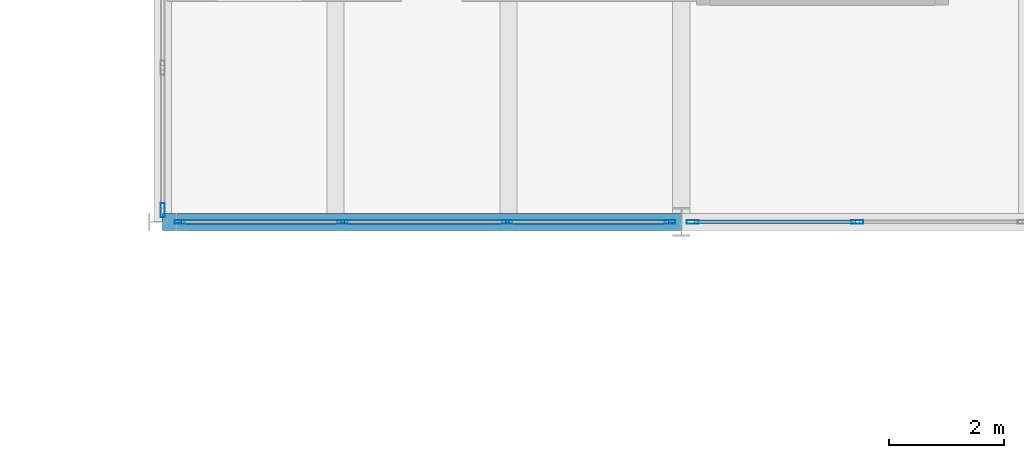
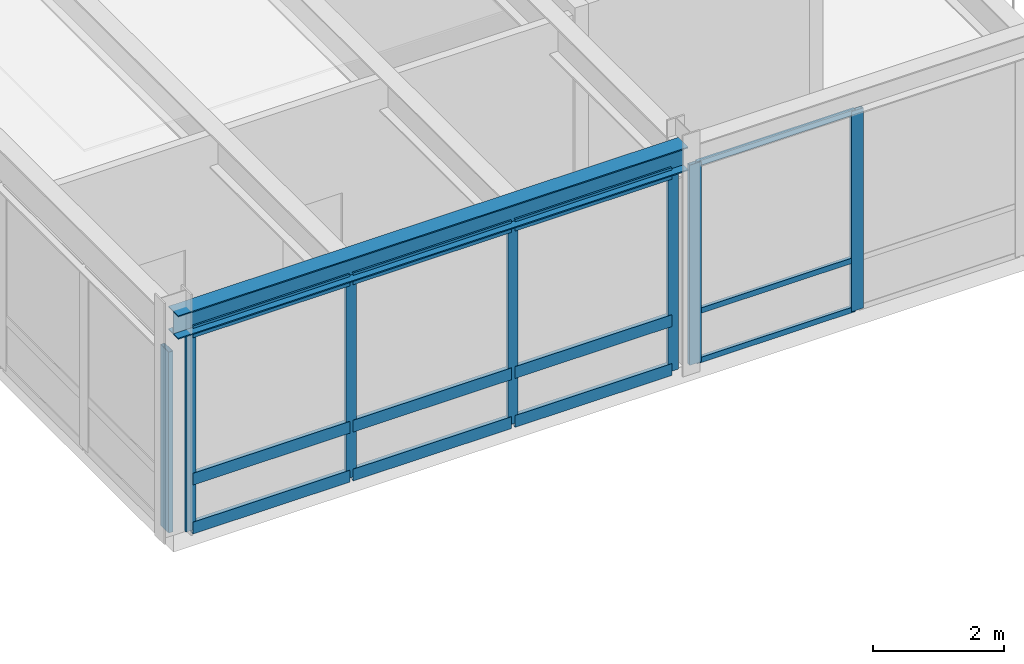
# One storey, part 48 of 127: 19 members, 1 beam, 3 elements without a shape of their own.
"""IFC4 building model written with IfcOpenShell, lengths in metres."""

import ifcopenshell
import ifcopenshell.guid

model = None  # the IFC model being written
_history = None  # IfcOwnerHistory: only IFC2X3 demands one
_inside = {}  # id of a spatial element -> (the spatial element, [elements in it])
_under = {}  # id of a project, library or spatial element -> (it, [spatial elements below it])
_declared = {}  # id of a project -> (the project, [libraries it declares])
_typed = {}  # id of a type object -> (the type object, [elements of that type])
_made_of = {}  # id of a material, layer set ... -> (it, [elements and type objects made of it])


def new_model(schema):
    """Start an empty IFC model of exactly this schema.

    Asked for "IFC4X3", IfcOpenShell would pick the latest addendum, in which some entities
    have other attributes; the version numbers below select the first issue.
    IFC2X3 requires an IfcOwnerHistory on every rooted entity: one is made here for all.
    """
    global model, _history
    if schema == "IFC4X3":
        model = ifcopenshell.file(schema_version=(4, 3, 0, 0))
    else:
        model = ifcopenshell.file(schema=schema)
    _inside.clear()
    _under.clear()
    _declared.clear()
    _typed.clear()
    _made_of.clear()
    _history = None
    if model.schema == "IFC2X3":
        org = make("IfcOrganization", Name="unknown")
        user = make(
            "IfcPersonAndOrganization",
            ThePerson=make("IfcPerson", FamilyName="unknown"),
            TheOrganization=org,
        )
        app = make(
            "IfcApplication",
            ApplicationDeveloper=org,
            Version="unknown",
            ApplicationFullName="unknown",
            ApplicationIdentifier="unknown",
        )
        _history = make(
            "IfcOwnerHistory",
            OwningUser=user,
            OwningApplication=app,
            ChangeAction="ADDED",
            CreationDate=0,
        )
    return model


def make(cls, **values):
    """One entity of the class cls with the attributes given. An attribute that is None is left unset."""
    return model.create_entity(
        cls, **{name: value for name, value in values.items() if value is not None}
    )


def rooted(cls, **values):
    """An entity with a GlobalId (a new one), such as an element, a storey or a relation."""
    return make(cls, GlobalId=ifcopenshell.guid.new(), OwnerHistory=_history, **values)


def si_unit(unit_type, name, prefix=None):
    """IfcSIUnit, for example si_unit("LENGTHUNIT", "METRE", prefix="MILLI")."""
    return make("IfcSIUnit", UnitType=unit_type, Prefix=prefix, Name=name)


def assignment(units):
    """IfcUnitAssignment: the units of a project."""
    return None if units is None else make("IfcUnitAssignment", Units=units)


def point(xyz):
    """IfcCartesianPoint."""
    return None if xyz is None else make("IfcCartesianPoint", Coordinates=xyz)


def direction(xyz):
    """IfcDirection."""
    return None if xyz is None else make("IfcDirection", DirectionRatios=xyz)


def frame(location, z_axis=None, x_axis=None):
    """IfcAxis2Placement3D, a coordinate frame: its origin and axes. An axis left out is left unset."""
    return make(
        "IfcAxis2Placement3D",
        Location=point(location),
        Axis=direction(z_axis),
        RefDirection=direction(x_axis),
    )


def frame_2d(location, x_axis=None):
    """IfcAxis2Placement2D, a coordinate frame in the plane: its origin and x axis."""
    return make(
        "IfcAxis2Placement2D", Location=point(location), RefDirection=direction(x_axis)
    )


def origin():
    """The frame at (0, 0, 0) with its axes left unset."""
    return frame((0.0, 0.0, 0.0))


def origin_2d():
    """The frame at (0, 0) in the plane with its x axis left unset."""
    return frame_2d((0.0, 0.0))


def place(relative_to, where):
    """IfcLocalPlacement: puts the frame where relative to a parent placement (None: the world)."""
    return make(
        "IfcLocalPlacement", PlacementRelTo=relative_to, RelativePlacement=where
    )


def context(
    kind, dimensions, precision=None, world=None, true_north=None, identifier=None
):
    """IfcGeometricRepresentationContext, for example the 3D "Model" context."""
    return make(
        "IfcGeometricRepresentationContext",
        ContextIdentifier=identifier,
        ContextType=kind,
        CoordinateSpaceDimension=dimensions,
        Precision=precision,
        WorldCoordinateSystem=world,
        TrueNorth=true_north,
    )


def subcontext(parent, identifier, kind, view, scale=None):
    """IfcGeometricRepresentationSubContext, for example "Body" below "Model"."""
    return make(
        "IfcGeometricRepresentationSubContext",
        ContextIdentifier=identifier,
        ContextType=kind,
        ParentContext=parent,
        TargetScale=scale,
        TargetView=view,
    )


def project(units=None, contexts=None):
    """IfcProject with its units and contexts."""
    return rooted(
        "IfcProject",
        Name="project",
        RepresentationContexts=contexts,
        UnitsInContext=assignment(units),
    )


def spatial(cls, under=None, at=None, **own):
    """A site, building, storey or space (cls), placed at a placement, below another one or the project."""
    s = rooted(cls, ObjectPlacement=at, **own)
    if under is not None:
        _under.setdefault(under.id(), (under, []))[1].append(s)
    return s


def profile(cls, at=None, kind="AREA", **sizes):
    """A parametric profile (cls). Its sizes go by their IFC names, for example OverallWidth=200.0."""
    return make(cls, ProfileType=kind, Position=at, **sizes)


def hollow_rectangle(**sizes):
    """IfcRectangleHollowProfileDef."""
    return profile("IfcRectangleHollowProfileDef", **sizes)


def i_section(**sizes):
    """IfcIShapeProfileDef."""
    return profile("IfcIShapeProfileDef", **sizes)


def extrude(swept, where, along, depth):
    """IfcExtrudedAreaSolid: the profile swept, set in the frame where, extruded along a direction by depth."""
    return make(
        "IfcExtrudedAreaSolid",
        SweptArea=swept,
        Position=where,
        ExtrudedDirection=direction(along),
        Depth=depth,
    )


def shape(context_of_items, identifier, shape_type, items):
    """IfcShapeRepresentation: the items that make up one representation, for example the "Body"."""
    return make(
        "IfcShapeRepresentation",
        ContextOfItems=context_of_items,
        RepresentationIdentifier=identifier,
        RepresentationType=shape_type,
        Items=items,
    )


def material(Name=None, Category=None):
    """IfcMaterial."""
    return make("IfcMaterial", Name=Name, Category=Category)


def layer(
    of_material, thickness, ventilated=None, Name=None, Category=None, Priority=None
):
    """IfcMaterialLayer: one layer of a wall or slab, of a material (None: an air gap)."""
    return make(
        "IfcMaterialLayer",
        Material=of_material,
        LayerThickness=thickness,
        IsVentilated=ventilated,
        Name=Name,
        Category=Category,
        Priority=Priority,
    )


def layer_set(layers, Name=None):
    """IfcMaterialLayerSet."""
    return make("IfcMaterialLayerSet", MaterialLayers=layers, LayerSetName=Name)


def material_profile(
    of_material, cross_section, Name=None, Category=None, Priority=None
):
    """IfcMaterialProfile: a cross section and its material."""
    return make(
        "IfcMaterialProfile",
        Name=Name,
        Material=of_material,
        Profile=cross_section,
        Priority=Priority,
        Category=Category,
    )


def profile_set(profiles, Name=None, composite=None):
    """IfcMaterialProfileSet."""
    return make(
        "IfcMaterialProfileSet",
        Name=Name,
        MaterialProfiles=profiles,
        CompositeProfile=composite,
    )


def made_of(thing, what):
    """Note that an element or type object is made of a material, layer set ...; save() writes the relation."""
    if what is not None:
        _made_of.setdefault(what.id(), (what, []))[1].append(thing)
    return thing


def type_object(cls, material=None, **own):
    """A type object (cls), such as IfcWallType, which elements share."""
    return made_of(rooted(cls, **own), material)


def element(
    cls,
    number,
    at=None,
    inside=None,
    cuts=None,
    type_object=None,
    material=None,
    context=None,
    identifier="Body",
    shape_type=None,
    held_by="IfcProductDefinitionShape",
    body=None,
    shapes=None,
    **own,
):
    """One element of the class cls, such as IfcWall. Its Tag is "e" and its number.

    at: its placement. inside: the storey or other place that contains it. cuts: it is an
    opening in that element (IfcRelVoidsElement). A single representation is given by context,
    identifier, shape_type and body (its items); several are given by shapes. held_by: the class
    of the entity that holds the representations. save() writes the other relations.
    """
    e = rooted(cls, Tag="e%d" % number, ObjectPlacement=at, **own)
    if body is not None:
        shapes = [shape(context, identifier, shape_type, body)]
    if shapes is not None:
        e.Representation = make(held_by, Representations=shapes)
    if inside is not None:
        _inside.setdefault(inside.id(), (inside, []))[1].append(e)
    if cuts is not None:
        rooted(
            "IfcRelVoidsElement", RelatingBuildingElement=cuts, RelatedOpeningElement=e
        )
    if type_object is not None:
        _typed.setdefault(type_object.id(), (type_object, []))[1].append(e)
    return made_of(e, material)


def aggregate(whole, parts):
    """IfcRelAggregates: a whole, such as a stair, and the parts it consists of."""
    return rooted("IfcRelAggregates", RelatingObject=whole, RelatedObjects=parts)


def save(model, path):
    """Write the relations noted so far, then the file.

    IfcRelAggregates (storeys below a building ...), IfcRelContainedInSpatialStructure (elements
    in a storey), IfcRelDefinesByType, IfcRelAssociatesMaterial and IfcRelDeclares: one each for
    every whole, place, type object, material and project.
    """
    for whole, parts in _under.values():
        aggregate(whole, parts)
    for where, things in _inside.values():
        rooted(
            "IfcRelContainedInSpatialStructure",
            RelatedElements=things,
            RelatingStructure=where,
        )
    for kind, things in _typed.values():
        rooted("IfcRelDefinesByType", RelatedObjects=things, RelatingType=kind)
    for what, things in _made_of.values():
        rooted("IfcRelAssociatesMaterial", RelatedObjects=things, RelatingMaterial=what)
    for by, libraries in _declared.values():
        rooted("IfcRelDeclares", RelatingContext=by, RelatedDefinitions=libraries)
    model.write(path)


model = new_model("IFC4")

# Units and contexts
model_context = context("Model", 3, precision=1e-05, world=origin(), true_north=direction((0.0, 1.0)))
body_context = subcontext(model_context, "Body", "Model", "MODEL_VIEW")
ifc_project = project(units=[si_unit("LENGTHUNIT", "METRE"), si_unit("AREAUNIT", "SQUARE_METRE"), si_unit("VOLUMEUNIT", "CUBIC_METRE"), si_unit("PLANEANGLEUNIT", "RADIAN"), si_unit("MASSUNIT", "GRAM", prefix="KILO")], contexts=[model_context])

# Site, building, storey
site_placement = place(None, origin())
site = spatial("IfcSite", under=ifc_project, at=site_placement, CompositionType="ELEMENT")
building_placement = place(site_placement, origin())
building = spatial("IfcBuilding", under=site, at=building_placement, Name="Montelvaro Courts of Justice", CompositionType="ELEMENT")
storey_placement = place(building_placement, frame((0.0, 0.0, 5.39990234375)))
storey = spatial("IfcBuildingStorey", under=building, at=storey_placement, Name="L01", CompositionType="ELEMENT", Elevation=5.39990234375)

# Beam
ifc_material_1 = material(Name="Steel S355", Category="steel")
ifc_material_profile_1 = material_profile(ifc_material_1, i_section(OverallWidth=0.300048828125, OverallDepth=0.43994140625, WebThickness=0.011474609375, FlangeThickness=0.02099609375, at=origin_2d()), Name="HEA 450")
ifc_profile_set_1 = profile_set([ifc_material_profile_1], Name="Steel S355")
beam_type = type_object("IfcBeamType", Name="Beam_HEA450", PredefinedType="USERDEFINED", material=ifc_profile_set_1)
beam_placement = place(storey_placement, frame((18.0, 78.0, 3.960205078125), z_axis=(1.0, 0.0, 0.0), x_axis=(0.0, 1.0, 0.0)))
element("IfcBeam", 1, at=beam_placement, inside=storey, type_object=beam_type, Name="Beam B-18 L01", ObjectType="GIRDER", PredefinedType="USERDEFINED", context=body_context, shape_type="SweptSolid", body=[
    extrude(i_section(OverallWidth=0.300048828125, OverallDepth=0.43994140625, WebThickness=0.011474609375, FlangeThickness=0.02099609375, at=origin_2d()), origin(), (0.0, 0.0, 1.0), 9.0),
])

# Curtain wall, members
ifc_material_2 = material(Name="Anodised aluminium EN AW-6063", Category="aluminium")
ifc_layer_1 = layer(ifc_material_2, 0.159912109375)
ifc_layer_set_1 = layer_set([ifc_layer_1], Name="Anodised aluminium EN AW-6063")
curtain_wall_type_1 = type_object("IfcCurtainWallType", Name="CurtainWall_13_857x418", PredefinedType="USERDEFINED", material=ifc_layer_set_1)
curtain_wall_1_placement = place(storey_placement, origin())
curtain_wall_1 = element("IfcCurtainWall", 2, at=curtain_wall_1_placement, inside=storey, type_object=curtain_wall_type_1, Name="Curtain Wall CW-13 (L01)", ObjectType="CURTAIN WALL", PredefinedType="USERDEFINED")
ifc_material_profile_2 = material_profile(ifc_material_2, hollow_rectangle(XDim=0.06005859375, YDim=0.179931640625, WallThickness=0.00439453125, at=origin_2d()), Name="ALU-M 60x180")
ifc_profile_set_2 = profile_set([ifc_material_profile_2], Name="Anodised aluminium EN AW-6063")
member_type_1 = type_object("IfcMemberType", Name="CurtainWall_Mullion_60x180", PredefinedType="MULLION", material=ifc_profile_set_2)
member_1_placement = place(storey_placement, frame((18.294921875, 78.0, 0.0), z_axis=(0.0, 0.0, 1.0), x_axis=(0.0, 1.0, 0.0)))
member_1 = element("IfcMember", 3, at=member_1_placement, type_object=member_type_1, Name="CW-13 mullion 1", PredefinedType="MULLION", context=body_context, shape_type="SweptSolid", body=[
    extrude(hollow_rectangle(XDim=0.06005859375, YDim=0.179931640625, WallThickness=0.00439453125, at=origin_2d()), origin(), (0.0, 0.0, 1.0), 3.735107421875),
])
member_2_placement = place(storey_placement, frame((21.12158203125, 78.0, 0.0), z_axis=(0.0, 0.0, 1.0), x_axis=(0.0, 1.0, 0.0)))
member_2 = element("IfcMember", 4, at=member_2_placement, type_object=member_type_1, Name="CW-13 mullion 2", PredefinedType="MULLION", context=body_context, shape_type="SweptSolid", body=[
    extrude(hollow_rectangle(XDim=0.06005859375, YDim=0.179931640625, WallThickness=0.00439453125, at=origin_2d()), origin(), (0.0, 0.0, 1.0), 3.735107421875),
])
member_3_placement = place(storey_placement, frame((23.978271484375, 78.0, 0.0), z_axis=(0.0, 0.0, 1.0), x_axis=(0.0, 1.0, 0.0)))
member_3 = element("IfcMember", 5, at=member_3_placement, type_object=member_type_1, Name="CW-13 mullion 3", PredefinedType="MULLION", context=body_context, shape_type="SweptSolid", body=[
    extrude(hollow_rectangle(XDim=0.06005859375, YDim=0.179931640625, WallThickness=0.00439453125, at=origin_2d()), origin(), (0.0, 0.0, 1.0), 3.735107421875),
])
member_4_placement = place(storey_placement, frame((26.804931640625, 78.0, 0.0), z_axis=(0.0, 0.0, 1.0), x_axis=(0.0, 1.0, 0.0)))
member_4 = element("IfcMember", 6, at=member_4_placement, type_object=member_type_1, Name="CW-13 mullion 4", PredefinedType="MULLION", context=body_context, shape_type="SweptSolid", body=[
    extrude(hollow_rectangle(XDim=0.06005859375, YDim=0.179931640625, WallThickness=0.00439453125, at=origin_2d()), origin(), (0.0, 0.0, 1.0), 3.735107421875),
])

ifc_layer_2 = layer(ifc_material_2, 0.159912109375)
ifc_layer_set_2 = layer_set([ifc_layer_2], Name="Anodised aluminium EN AW-6063")
curtain_wall_type_2 = type_object("IfcCurtainWallType", Name="CurtainWall_14_867x418", PredefinedType="USERDEFINED", material=ifc_layer_set_2)
curtain_wall_2_placement = place(storey_placement, origin())
curtain_wall_2 = element("IfcCurtainWall", 7, at=curtain_wall_2_placement, inside=storey, type_object=curtain_wall_type_2, Name="Curtain Wall CW-14 (L01)", ObjectType="CURTAIN WALL", PredefinedType="USERDEFINED")
ifc_material_profile_3 = material_profile(ifc_material_2, hollow_rectangle(XDim=0.06494140625, YDim=0.2099609375, WallThickness=0.0048828125, at=origin_2d()), Name="ALU-M 65x210")
ifc_profile_set_3 = profile_set([ifc_material_profile_3], Name="Anodised aluminium EN AW-6063")
member_type_2 = type_object("IfcMemberType", Name="CurtainWall_Mullion_65x210", PredefinedType="MULLION", material=ifc_profile_set_3)
member_5_placement = place(storey_placement, frame((27.197509765625, 78.0, 0.0), z_axis=(0.0, 0.0, 1.0), x_axis=(0.0, 1.0, 0.0)))
member_5 = element("IfcMember", 8, at=member_5_placement, type_object=member_type_2, Name="CW-14 mullion 1", PredefinedType="MULLION", context=body_context, shape_type="SweptSolid", body=[
    extrude(hollow_rectangle(XDim=0.06494140625, YDim=0.2099609375, WallThickness=0.0048828125, at=origin_2d()), origin(), (0.0, 0.0, 1.0), 3.735107421875),
])
member_6_placement = place(storey_placement, frame((30.054931640625, 78.0, 0.0), z_axis=(0.0, 0.0, 1.0), x_axis=(0.0, 1.0, 0.0)))
member_6 = element("IfcMember", 9, at=member_6_placement, type_object=member_type_2, Name="CW-14 mullion 2", PredefinedType="MULLION", context=body_context, shape_type="SweptSolid", body=[
    extrude(hollow_rectangle(XDim=0.06494140625, YDim=0.2099609375, WallThickness=0.0048828125, at=origin_2d()), origin(), (0.0, 0.0, 1.0), 3.735107421875),
])

# Curtain wall, member
ifc_layer_3 = layer(ifc_material_2, 0.159912109375)
ifc_layer_set_3 = layer_set([ifc_layer_3], Name="Anodised aluminium EN AW-6063")
curtain_wall_type_3 = type_object("IfcCurtainWallType", Name="CurtainWall_20_1757x418", PredefinedType="USERDEFINED", material=ifc_layer_set_3)
curtain_wall_3_placement = place(storey_placement, origin())
curtain_wall_3 = element("IfcCurtainWall", 10, at=curtain_wall_3_placement, inside=storey, type_object=curtain_wall_type_3, Name="Curtain Wall CW-20 (L01)", ObjectType="CURTAIN WALL", PredefinedType="USERDEFINED")
ifc_material_profile_4 = material_profile(ifc_material_2, hollow_rectangle(XDim=0.074951171875, YDim=0.25, WallThickness=0.005615234375, at=origin_2d()), Name="ALU-M 75x250")
ifc_profile_set_4 = profile_set([ifc_material_profile_4], Name="Anodised aluminium EN AW-6063")
member_type_3 = type_object("IfcMemberType", Name="CurtainWall_Mullion_75x250", PredefinedType="MULLION", material=ifc_profile_set_4)
member_7_placement = place(storey_placement, frame((18.0, 78.202392578125, 0.0), z_axis=(0.0, 0.0, 1.0), x_axis=(1.0, 0.0, 0.0)))
member_7 = element("IfcMember", 11, at=member_7_placement, type_object=member_type_3, Name="CW-20 mullion 8", PredefinedType="MULLION", context=body_context, shape_type="SweptSolid", body=[
    extrude(hollow_rectangle(XDim=0.074951171875, YDim=0.25, WallThickness=0.005615234375, at=origin_2d()), origin(), (0.0, 0.0, 1.0), 3.375),
])
aggregate(curtain_wall_3, [member_7])

# Member
ifc_material_profile_5 = material_profile(ifc_material_2, hollow_rectangle(XDim=0.06005859375, YDim=0.10009765625, WallThickness=0.00341796875, at=origin_2d()), Name="ALU-T 60x100")
ifc_profile_set_5 = profile_set([ifc_material_profile_5], Name="Anodised aluminium EN AW-6063")
member_type_4 = type_object("IfcMemberType", Name="CurtainWall_Transom_60x100", PredefinedType="USERDEFINED", material=ifc_profile_set_5)
member_8_placement = place(storey_placement, frame((27.22998046875, 78.0, 0.030029296875), z_axis=(1.0, 0.0, 0.0), x_axis=(0.0, 1.0, 0.0)))
member_8 = element("IfcMember", 12, at=member_8_placement, type_object=member_type_4, Name="CW-14 transom 1.1", ObjectType="TRANSOM", PredefinedType="USERDEFINED", context=body_context, shape_type="SweptSolid", body=[
    extrude(hollow_rectangle(XDim=0.06005859375, YDim=0.10009765625, WallThickness=0.00341796875, at=origin_2d()), origin(), (0.0, 0.0, 1.0), 2.79248046875),
])

member_9_placement = place(storey_placement, frame((27.22998046875, 78.0, 0.9501953125), z_axis=(1.0, 0.0, 0.0), x_axis=(0.0, 1.0, 0.0)))
member_9 = element("IfcMember", 13, at=member_9_placement, type_object=member_type_4, Name="CW-14 transom 1.2", ObjectType="TRANSOM", PredefinedType="USERDEFINED", context=body_context, shape_type="SweptSolid", body=[
    extrude(hollow_rectangle(XDim=0.06005859375, YDim=0.10009765625, WallThickness=0.00341796875, at=origin_2d()), origin(), (0.0, 0.0, 1.0), 2.79248046875),
])

member_10_placement = place(storey_placement, frame((27.22998046875, 78.0, 3.705078125), z_axis=(1.0, 0.0, 0.0), x_axis=(0.0, 1.0, 0.0)))
member_10 = element("IfcMember", 14, at=member_10_placement, type_object=member_type_4, Name="CW-14 transom 1.3", ObjectType="TRANSOM", PredefinedType="USERDEFINED", context=body_context, shape_type="SweptSolid", body=[
    extrude(hollow_rectangle(XDim=0.06005859375, YDim=0.10009765625, WallThickness=0.00341796875, at=origin_2d()), origin(), (0.0, 0.0, 1.0), 2.79248046875),
])

aggregate(curtain_wall_2, [member_5, member_6, member_8, member_9, member_10])

ifc_material_profile_6 = material_profile(ifc_material_2, hollow_rectangle(XDim=0.074951171875, YDim=0.219970703125, WallThickness=0.005615234375, at=origin_2d()), Name="ALU-T 75x220")
ifc_profile_set_6 = profile_set([ifc_material_profile_6], Name="Anodised aluminium EN AW-6063")
member_type_5 = type_object("IfcMemberType", Name="CurtainWall_Transom_75x220", PredefinedType="USERDEFINED", material=ifc_profile_set_6)
member_11_placement = place(storey_placement, frame((18.324951171875, 78.0, 0.03759765625), z_axis=(1.0, 0.0, 0.0), x_axis=(0.0, 1.0, 0.0)))
member_11 = element("IfcMember", 15, at=member_11_placement, type_object=member_type_5, Name="CW-13 transom 1.1", ObjectType="TRANSOM", PredefinedType="USERDEFINED", context=body_context, shape_type="SweptSolid", body=[
    extrude(hollow_rectangle(XDim=0.074951171875, YDim=0.219970703125, WallThickness=0.005615234375, at=origin_2d()), origin(), (0.0, 0.0, 1.0), 2.7666015625),
])

member_12_placement = place(storey_placement, frame((18.324951171875, 78.0, 0.9501953125), z_axis=(1.0, 0.0, 0.0), x_axis=(0.0, 1.0, 0.0)))
member_12 = element("IfcMember", 16, at=member_12_placement, type_object=member_type_5, Name="CW-13 transom 1.2", ObjectType="TRANSOM", PredefinedType="USERDEFINED", context=body_context, shape_type="SweptSolid", body=[
    extrude(hollow_rectangle(XDim=0.074951171875, YDim=0.219970703125, WallThickness=0.005615234375, at=origin_2d()), origin(), (0.0, 0.0, 1.0), 2.7666015625),
])

member_13_placement = place(storey_placement, frame((18.324951171875, 78.0, 3.697509765625), z_axis=(1.0, 0.0, 0.0), x_axis=(0.0, 1.0, 0.0)))
member_13 = element("IfcMember", 17, at=member_13_placement, type_object=member_type_5, Name="CW-13 transom 1.3", ObjectType="TRANSOM", PredefinedType="USERDEFINED", context=body_context, shape_type="SweptSolid", body=[
    extrude(hollow_rectangle(XDim=0.074951171875, YDim=0.219970703125, WallThickness=0.005615234375, at=origin_2d()), origin(), (0.0, 0.0, 1.0), 2.7666015625),
])

member_14_placement = place(storey_placement, frame((21.151611328125, 78.0, 0.03759765625), z_axis=(1.0, 0.0, 0.0), x_axis=(0.0, 1.0, 0.0)))
member_14 = element("IfcMember", 18, at=member_14_placement, type_object=member_type_5, Name="CW-13 transom 2.1", ObjectType="TRANSOM", PredefinedType="USERDEFINED", context=body_context, shape_type="SweptSolid", body=[
    extrude(hollow_rectangle(XDim=0.074951171875, YDim=0.219970703125, WallThickness=0.005615234375, at=origin_2d()), origin(), (0.0, 0.0, 1.0), 2.796630859375),
])

member_15_placement = place(storey_placement, frame((21.151611328125, 78.0, 0.9501953125), z_axis=(1.0, 0.0, 0.0), x_axis=(0.0, 1.0, 0.0)))
member_15 = element("IfcMember", 19, at=member_15_placement, type_object=member_type_5, Name="CW-13 transom 2.2", ObjectType="TRANSOM", PredefinedType="USERDEFINED", context=body_context, shape_type="SweptSolid", body=[
    extrude(hollow_rectangle(XDim=0.074951171875, YDim=0.219970703125, WallThickness=0.005615234375, at=origin_2d()), origin(), (0.0, 0.0, 1.0), 2.796630859375),
])

member_16_placement = place(storey_placement, frame((21.151611328125, 78.0, 3.697509765625), z_axis=(1.0, 0.0, 0.0), x_axis=(0.0, 1.0, 0.0)))
member_16 = element("IfcMember", 20, at=member_16_placement, type_object=member_type_5, Name="CW-13 transom 2.3", ObjectType="TRANSOM", PredefinedType="USERDEFINED", context=body_context, shape_type="SweptSolid", body=[
    extrude(hollow_rectangle(XDim=0.074951171875, YDim=0.219970703125, WallThickness=0.005615234375, at=origin_2d()), origin(), (0.0, 0.0, 1.0), 2.796630859375),
])

member_17_placement = place(storey_placement, frame((24.00830078125, 78.0, 0.03759765625), z_axis=(1.0, 0.0, 0.0), x_axis=(0.0, 1.0, 0.0)))
member_17 = element("IfcMember", 21, at=member_17_placement, type_object=member_type_5, Name="CW-13 transom 3.1", ObjectType="TRANSOM", PredefinedType="USERDEFINED", context=body_context, shape_type="SweptSolid", body=[
    extrude(hollow_rectangle(XDim=0.074951171875, YDim=0.219970703125, WallThickness=0.005615234375, at=origin_2d()), origin(), (0.0, 0.0, 1.0), 2.7666015625),
])

member_18_placement = place(storey_placement, frame((24.00830078125, 78.0, 0.9501953125), z_axis=(1.0, 0.0, 0.0), x_axis=(0.0, 1.0, 0.0)))
member_18 = element("IfcMember", 22, at=member_18_placement, type_object=member_type_5, Name="CW-13 transom 3.2", ObjectType="TRANSOM", PredefinedType="USERDEFINED", context=body_context, shape_type="SweptSolid", body=[
    extrude(hollow_rectangle(XDim=0.074951171875, YDim=0.219970703125, WallThickness=0.005615234375, at=origin_2d()), origin(), (0.0, 0.0, 1.0), 2.7666015625),
])

member_19_placement = place(storey_placement, frame((24.00830078125, 78.0, 3.697509765625), z_axis=(1.0, 0.0, 0.0), x_axis=(0.0, 1.0, 0.0)))
member_19 = element("IfcMember", 23, at=member_19_placement, type_object=member_type_5, Name="CW-13 transom 3.3", ObjectType="TRANSOM", PredefinedType="USERDEFINED", context=body_context, shape_type="SweptSolid", body=[
    extrude(hollow_rectangle(XDim=0.074951171875, YDim=0.219970703125, WallThickness=0.005615234375, at=origin_2d()), origin(), (0.0, 0.0, 1.0), 2.7666015625),
])

aggregate(curtain_wall_1, [member_1, member_2, member_3, member_4, member_11, member_12, member_13, member_14, member_15, member_16, member_17, member_18, member_19])

save(model, "model.ifc")
